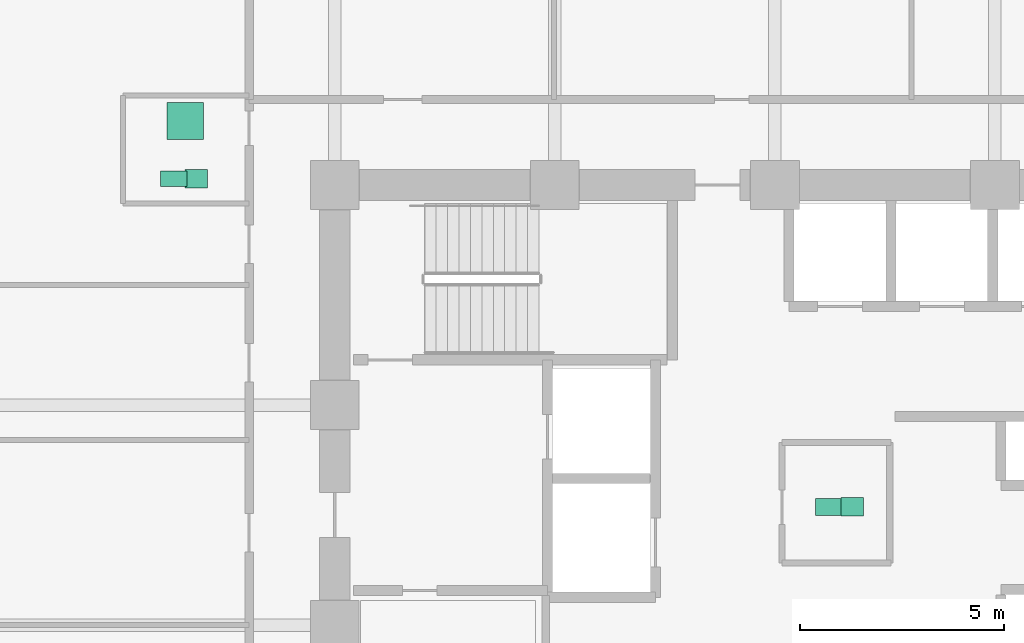
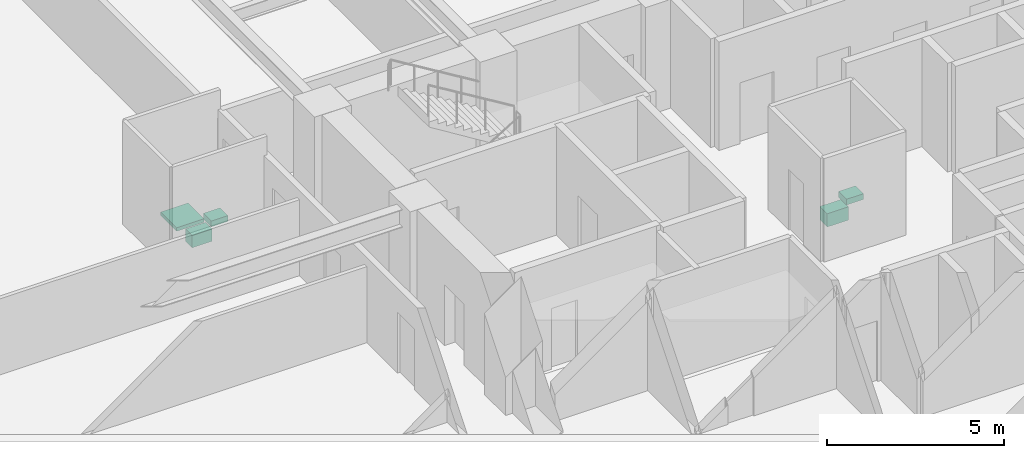
# One storey, part 28 of 28: 5 sanitary terminals.
"""IFC4 building model written with IfcOpenShell, lengths in metres."""

import ifcopenshell
import ifcopenshell.guid

model = None  # the IFC model being written
_history = None  # IfcOwnerHistory: only IFC2X3 demands one
_inside = {}  # id of a spatial element -> (the spatial element, [elements in it])
_under = {}  # id of a project, library or spatial element -> (it, [spatial elements below it])
_declared = {}  # id of a project -> (the project, [libraries it declares])
_typed = {}  # id of a type object -> (the type object, [elements of that type])
_made_of = {}  # id of a material, layer set ... -> (it, [elements and type objects made of it])


def new_model(schema):
    """Start an empty IFC model of exactly this schema.

    Asked for "IFC4X3", IfcOpenShell would pick the latest addendum, in which some entities
    have other attributes; the version numbers below select the first issue.
    IFC2X3 requires an IfcOwnerHistory on every rooted entity: one is made here for all.
    """
    global model, _history
    if schema == "IFC4X3":
        model = ifcopenshell.file(schema_version=(4, 3, 0, 0))
    else:
        model = ifcopenshell.file(schema=schema)
    _inside.clear()
    _under.clear()
    _declared.clear()
    _typed.clear()
    _made_of.clear()
    _history = None
    if model.schema == "IFC2X3":
        org = make("IfcOrganization", Name="unknown")
        user = make(
            "IfcPersonAndOrganization",
            ThePerson=make("IfcPerson", FamilyName="unknown"),
            TheOrganization=org,
        )
        app = make(
            "IfcApplication",
            ApplicationDeveloper=org,
            Version="unknown",
            ApplicationFullName="unknown",
            ApplicationIdentifier="unknown",
        )
        _history = make(
            "IfcOwnerHistory",
            OwningUser=user,
            OwningApplication=app,
            ChangeAction="ADDED",
            CreationDate=0,
        )
    return model


def make(cls, **values):
    """One entity of the class cls with the attributes given. An attribute that is None is left unset."""
    return model.create_entity(
        cls, **{name: value for name, value in values.items() if value is not None}
    )


def rooted(cls, **values):
    """An entity with a GlobalId (a new one), such as an element, a storey or a relation."""
    return make(cls, GlobalId=ifcopenshell.guid.new(), OwnerHistory=_history, **values)


def si_unit(unit_type, name, prefix=None):
    """IfcSIUnit, for example si_unit("LENGTHUNIT", "METRE", prefix="MILLI")."""
    return make("IfcSIUnit", UnitType=unit_type, Prefix=prefix, Name=name)


def assignment(units):
    """IfcUnitAssignment: the units of a project."""
    return None if units is None else make("IfcUnitAssignment", Units=units)


def point(xyz):
    """IfcCartesianPoint."""
    return None if xyz is None else make("IfcCartesianPoint", Coordinates=xyz)


def direction(xyz):
    """IfcDirection."""
    return None if xyz is None else make("IfcDirection", DirectionRatios=xyz)


def frame(location, z_axis=None, x_axis=None):
    """IfcAxis2Placement3D, a coordinate frame: its origin and axes. An axis left out is left unset."""
    return make(
        "IfcAxis2Placement3D",
        Location=point(location),
        Axis=direction(z_axis),
        RefDirection=direction(x_axis),
    )


def frame_2d(location, x_axis=None):
    """IfcAxis2Placement2D, a coordinate frame in the plane: its origin and x axis."""
    return make(
        "IfcAxis2Placement2D", Location=point(location), RefDirection=direction(x_axis)
    )


def origin():
    """The frame at (0, 0, 0) with its axes left unset."""
    return frame((0.0, 0.0, 0.0))


def origin_2d():
    """The frame at (0, 0) in the plane with its x axis left unset."""
    return frame_2d((0.0, 0.0))


def place(relative_to, where):
    """IfcLocalPlacement: puts the frame where relative to a parent placement (None: the world)."""
    return make(
        "IfcLocalPlacement", PlacementRelTo=relative_to, RelativePlacement=where
    )


def context(
    kind, dimensions, precision=None, world=None, true_north=None, identifier=None
):
    """IfcGeometricRepresentationContext, for example the 3D "Model" context."""
    return make(
        "IfcGeometricRepresentationContext",
        ContextIdentifier=identifier,
        ContextType=kind,
        CoordinateSpaceDimension=dimensions,
        Precision=precision,
        WorldCoordinateSystem=world,
        TrueNorth=true_north,
    )


def subcontext(parent, identifier, kind, view, scale=None):
    """IfcGeometricRepresentationSubContext, for example "Body" below "Model"."""
    return make(
        "IfcGeometricRepresentationSubContext",
        ContextIdentifier=identifier,
        ContextType=kind,
        ParentContext=parent,
        TargetScale=scale,
        TargetView=view,
    )


def project(units=None, contexts=None):
    """IfcProject with its units and contexts."""
    return rooted(
        "IfcProject",
        Name="project",
        RepresentationContexts=contexts,
        UnitsInContext=assignment(units),
    )


def spatial(cls, under=None, at=None, **own):
    """A site, building, storey or space (cls), placed at a placement, below another one or the project."""
    s = rooted(cls, ObjectPlacement=at, **own)
    if under is not None:
        _under.setdefault(under.id(), (under, []))[1].append(s)
    return s


def profile(cls, at=None, kind="AREA", **sizes):
    """A parametric profile (cls). Its sizes go by their IFC names, for example OverallWidth=200.0."""
    return make(cls, ProfileType=kind, Position=at, **sizes)


def rectangle(**sizes):
    """IfcRectangleProfileDef."""
    return profile("IfcRectangleProfileDef", **sizes)


def extrude(swept, where, along, depth):
    """IfcExtrudedAreaSolid: the profile swept, set in the frame where, extruded along a direction by depth."""
    return make(
        "IfcExtrudedAreaSolid",
        SweptArea=swept,
        Position=where,
        ExtrudedDirection=direction(along),
        Depth=depth,
    )


def shape(context_of_items, identifier, shape_type, items):
    """IfcShapeRepresentation: the items that make up one representation, for example the "Body"."""
    return make(
        "IfcShapeRepresentation",
        ContextOfItems=context_of_items,
        RepresentationIdentifier=identifier,
        RepresentationType=shape_type,
        Items=items,
    )


def material(Name=None, Category=None):
    """IfcMaterial."""
    return make("IfcMaterial", Name=Name, Category=Category)


def made_of(thing, what):
    """Note that an element or type object is made of a material, layer set ...; save() writes the relation."""
    if what is not None:
        _made_of.setdefault(what.id(), (what, []))[1].append(thing)
    return thing


def type_object(cls, material=None, **own):
    """A type object (cls), such as IfcWallType, which elements share."""
    return made_of(rooted(cls, **own), material)


def element(
    cls,
    number,
    at=None,
    inside=None,
    cuts=None,
    type_object=None,
    material=None,
    context=None,
    identifier="Body",
    shape_type=None,
    held_by="IfcProductDefinitionShape",
    body=None,
    shapes=None,
    **own,
):
    """One element of the class cls, such as IfcWall. Its Tag is "e" and its number.

    at: its placement. inside: the storey or other place that contains it. cuts: it is an
    opening in that element (IfcRelVoidsElement). A single representation is given by context,
    identifier, shape_type and body (its items); several are given by shapes. held_by: the class
    of the entity that holds the representations. save() writes the other relations.
    """
    e = rooted(cls, Tag="e%d" % number, ObjectPlacement=at, **own)
    if body is not None:
        shapes = [shape(context, identifier, shape_type, body)]
    if shapes is not None:
        e.Representation = make(held_by, Representations=shapes)
    if inside is not None:
        _inside.setdefault(inside.id(), (inside, []))[1].append(e)
    if cuts is not None:
        rooted(
            "IfcRelVoidsElement", RelatingBuildingElement=cuts, RelatedOpeningElement=e
        )
    if type_object is not None:
        _typed.setdefault(type_object.id(), (type_object, []))[1].append(e)
    return made_of(e, material)


def aggregate(whole, parts):
    """IfcRelAggregates: a whole, such as a stair, and the parts it consists of."""
    return rooted("IfcRelAggregates", RelatingObject=whole, RelatedObjects=parts)


def save(model, path):
    """Write the relations noted so far, then the file.

    IfcRelAggregates (storeys below a building ...), IfcRelContainedInSpatialStructure (elements
    in a storey), IfcRelDefinesByType, IfcRelAssociatesMaterial and IfcRelDeclares: one each for
    every whole, place, type object, material and project.
    """
    for whole, parts in _under.values():
        aggregate(whole, parts)
    for where, things in _inside.values():
        rooted(
            "IfcRelContainedInSpatialStructure",
            RelatedElements=things,
            RelatingStructure=where,
        )
    for kind, things in _typed.values():
        rooted("IfcRelDefinesByType", RelatedObjects=things, RelatingType=kind)
    for what, things in _made_of.values():
        rooted("IfcRelAssociatesMaterial", RelatedObjects=things, RelatingMaterial=what)
    for by, libraries in _declared.values():
        rooted("IfcRelDeclares", RelatingContext=by, RelatedDefinitions=libraries)
    model.write(path)


model = new_model("IFC4")

# Units and contexts
model_context = context("Model", 3, precision=1e-05, world=origin(), true_north=direction((0.0, 1.0)))
body_context = subcontext(model_context, "Body", "Model", "MODEL_VIEW")
ifc_project = project(units=[si_unit("LENGTHUNIT", "METRE"), si_unit("AREAUNIT", "SQUARE_METRE"), si_unit("VOLUMEUNIT", "CUBIC_METRE"), si_unit("PLANEANGLEUNIT", "RADIAN"), si_unit("MASSUNIT", "GRAM", prefix="KILO")], contexts=[model_context])

# Site, building, storey
site_placement = place(None, origin())
site = spatial("IfcSite", under=ifc_project, at=site_placement, CompositionType="ELEMENT")
building_placement = place(site_placement, origin())
building = spatial("IfcBuilding", under=site, at=building_placement, Name="Surkhivell Harbour Commons", CompositionType="ELEMENT")
storey_placement = place(building_placement, frame((0.0, 0.0, 67.5)))
storey = spatial("IfcBuildingStorey", under=building, at=storey_placement, Name="L17", CompositionType="ELEMENT", Elevation=67.5)

# Sanitary terminals
ifc_material_1 = material(Name="Vitreous china washbasin", Category="other")
sanitary_terminal_type_1 = type_object("IfcSanitaryTerminalType", Name="SAN-BSN", PredefinedType="WASHHANDBASIN", material=ifc_material_1)
for number, where, z_axis, x_axis, name in (
    (1, (1.89990234375, 2.89990234375, 0.72021484375), (0.0, 0.0, 1.0), (1.0, 0.0, 0.0), "L17 Core Accessible WC Washbasin"),
    (2, (-14.199951171875, 10.949951171875, 0.72021484375), (0.0, 0.0, 1.0), (1.0, 0.0, 0.0), "L17 West Communal Bathroom WC Washbasin"),
):
    element("IfcSanitaryTerminal", number, at=place(storey_placement, frame(where, z_axis=z_axis, x_axis=x_axis)), inside=storey, type_object=sanitary_terminal_type_1, Name=name, PredefinedType="WASHHANDBASIN", context=body_context, shape_type="SweptSolid", body=[
        extrude(rectangle(XDim=0.550048828125, YDim=0.449951171875, at=origin_2d()), origin(), (0.0, 0.0, 1.0), 0.199951171875),
    ])
ifc_material_2 = material(Name="Glazed porcelain shower tray", Category="other")
sanitary_terminal_type_2 = type_object("IfcSanitaryTerminalType", Name="SAN-SHW", PredefinedType="SHOWER", material=ifc_material_2)
sanitary_terminal_1_placement = place(storey_placement, frame((-14.469970703125, 12.3701171875, 0.0), z_axis=(0.0, 0.0, 1.0), x_axis=(1.0, 0.0, 0.0)))
element("IfcSanitaryTerminal", 3, at=sanitary_terminal_1_placement, inside=storey, type_object=sanitary_terminal_type_2, Name="L17 West Communal Shower Tray", PredefinedType="SHOWER", context=body_context, shape_type="SweptSolid", body=[
    extrude(rectangle(XDim=0.89990234375, YDim=0.89990234375, at=origin_2d()), origin(), (0.0, 0.0, 1.0), 0.1201171875),
])
ifc_material_3 = material(Name="Vitreous china sanitaryware", Category="other")
sanitary_terminal_type_3 = type_object("IfcSanitaryTerminalType", Name="SAN-WC-ACC", PredefinedType="TOILETPAN", material=ifc_material_3)
sanitary_terminal_2_placement = place(storey_placement, frame((1.35009765625, 2.89990234375, 0.169921875), z_axis=(0.0, 0.0, 1.0), x_axis=(1.0, 0.0, 0.0)))
element("IfcSanitaryTerminal", 4, at=sanitary_terminal_2_placement, inside=storey, type_object=sanitary_terminal_type_3, Name="L17 Core Accessible WC", PredefinedType="TOILETPAN", context=body_context, shape_type="SweptSolid", body=[
    extrude(rectangle(XDim=0.699951171875, YDim=0.419921875, at=origin_2d()), origin(), (0.0, 0.0, 1.0), 0.4599609375),
])
sanitary_terminal_type_4 = type_object("IfcSanitaryTerminalType", Name="SAN-WC-STD", PredefinedType="TOILETPAN", material=ifc_material_3)
sanitary_terminal_3_placement = place(storey_placement, frame((-14.75, 10.949951171875, 0.18994140625), z_axis=(0.0, 0.0, 1.0), x_axis=(1.0, 0.0, 0.0)))
element("IfcSanitaryTerminal", 5, at=sanitary_terminal_3_placement, inside=storey, type_object=sanitary_terminal_type_4, Name="L17 West Communal Bathroom WC", PredefinedType="TOILETPAN", context=body_context, shape_type="SweptSolid", body=[
    extrude(rectangle(XDim=0.64990234375, YDim=0.3798828125, at=origin_2d()), origin(), (0.0, 0.0, 1.0), 0.419921875),
])

save(model, "model.ifc")
